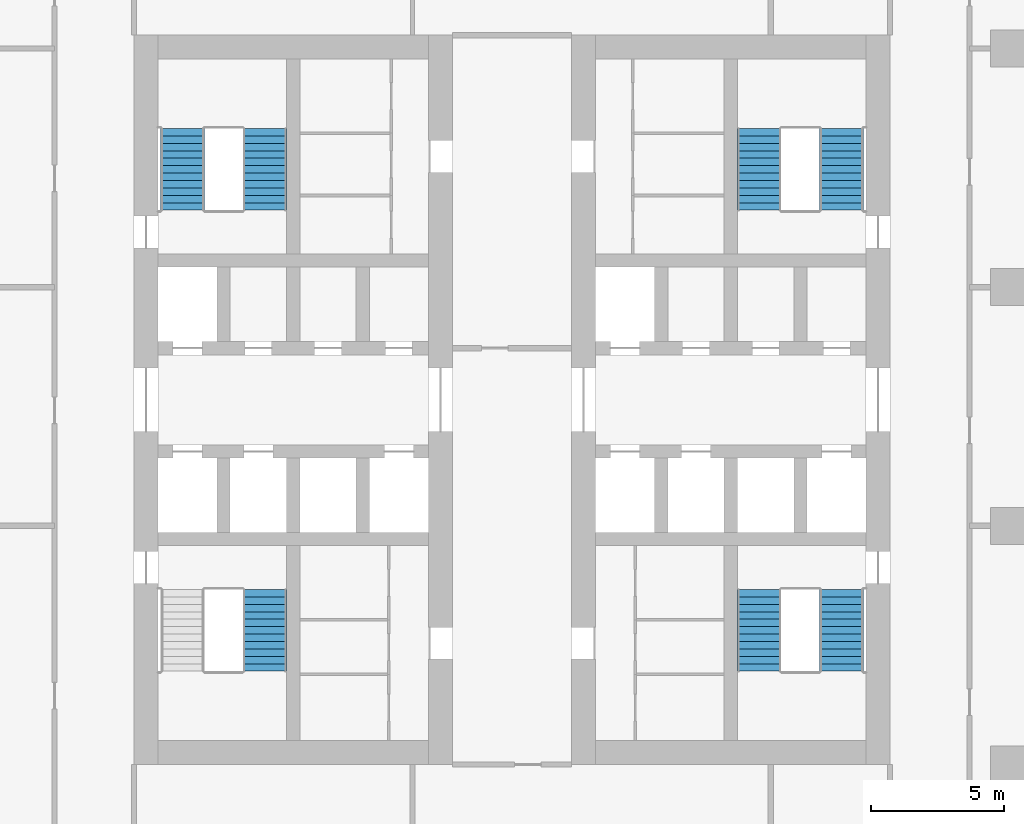
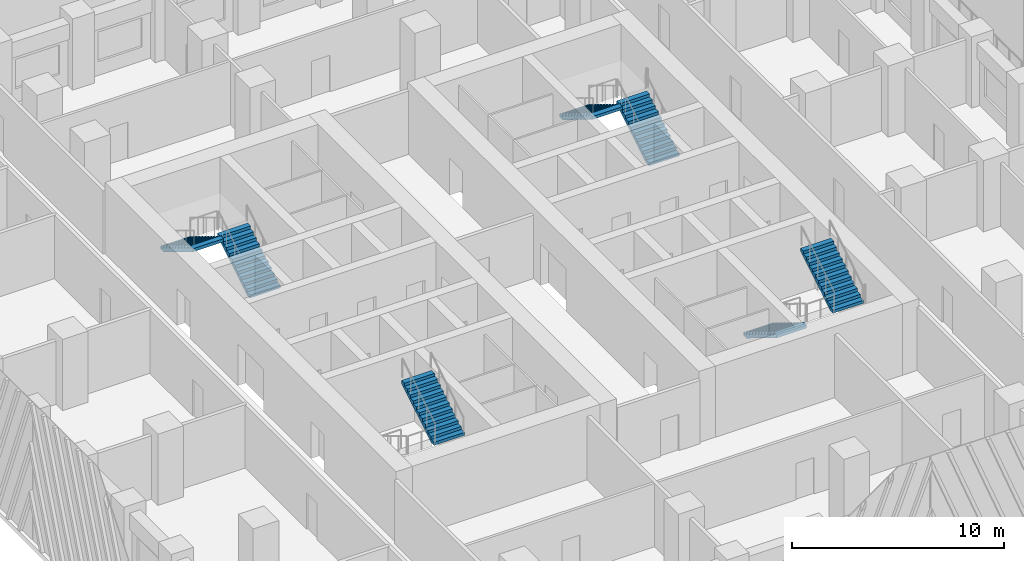
# One storey, part 9 of 19: 7 stair flights, 4 elements without a shape of their own.
"""IFC4 building model written with IfcOpenShell, lengths in metres."""

from ifc_helpers import new_model, si_unit, direction, frame, origin, place, context, subcontext, project, spatial, polyline, outline, extrude, material, type_object, element, aggregate, save


model = new_model("IFC4")

# Units and contexts
model_context = context("Model", 3, precision=1e-05, world=origin(), true_north=direction((0.0, 1.0)))
body_context = subcontext(model_context, "Body", "Model", "MODEL_VIEW")
ifc_project = project(units=[si_unit("LENGTHUNIT", "METRE"), si_unit("AREAUNIT", "SQUARE_METRE"), si_unit("VOLUMEUNIT", "CUBIC_METRE"), si_unit("PLANEANGLEUNIT", "RADIAN"), si_unit("MASSUNIT", "GRAM", prefix="KILO")], contexts=[model_context])

# Site, building, storey
site_placement = place(None, origin())
site = spatial("IfcSite", under=ifc_project, at=site_placement, CompositionType="ELEMENT")
building_placement = place(site_placement, origin())
building = spatial("IfcBuilding", under=site, at=building_placement, Name="Corbel Stack Research Tower", CompositionType="ELEMENT")
storey_placement = place(building_placement, frame((0.0, 0.0, 90.199951171875)))
storey = spatial("IfcBuildingStorey", under=building, at=storey_placement, Name="L20", CompositionType="ELEMENT", Elevation=90.199951171875)

# Stair, stair flight
ifc_material_1 = material(Name="Concrete C40/50", Category="concrete")
stair_type = type_object("IfcStairType", Name="Exit stair 24 risers", PredefinedType="HALF_TURN_STAIR", material=ifc_material_1)
stair_1_placement = place(storey_placement, origin())
stair_1 = element("IfcStair", 1, at=stair_1_placement, inside=storey, type_object=stair_type, Name="L20 Exit stair ST-W1", PredefinedType="HALF_TURN_STAIR")
ifc_material_2 = material(Name="Concrete C40/50", Category="concrete")
stair_flight_type = type_object("IfcStairFlightType", Name="Stair flight 12 risers", PredefinedType="STRAIGHT", material=ifc_material_2)
stair_flight_1_placement = place(storey_placement, frame((-5.574951171875, -5.47998046875, 2.050048828125), z_axis=(0.0, 0.0, 1.0), x_axis=(0.0, 1.0, 0.0)))
stair_flight_1 = element("IfcStairFlight", 2, at=stair_flight_1_placement, type_object=stair_flight_type, Name="ST-W1 flight 2", NumberOfRisers=12, NumberOfTreads=11, PredefinedType="STRAIGHT", RiserHeight=0.170833333, TreadLength=0.28, context=body_context, shape_type="SweptSolid", body=[
    extrude(outline(polyline([(0.0, 0.0), (0.0, 0.1708984375), (0.280029296875, 0.1708984375), (0.280029296875, 0.341552734375), (0.56005859375, 0.341552734375), (0.56005859375, 0.512451171875), (0.840087890625, 0.512451171875), (0.840087890625, 0.683349609375), (1.1201171875, 0.683349609375), (1.1201171875, 0.854248046875), (1.39990234375, 0.854248046875), (1.39990234375, 1.02490234375), (1.679931640625, 1.02490234375), (1.679931640625, 1.19580078125), (1.9599609375, 1.19580078125), (1.9599609375, 1.36669921875), (2.239990234375, 1.36669921875), (2.239990234375, 1.53759765625), (2.52001953125, 1.53759765625), (2.52001953125, 1.708251953125), (2.800048828125, 1.708251953125), (2.800048828125, 1.879150390625), (3.080078125, 1.879150390625), (3.080078125, 2.050048828125), (3.080078125, 1.70361328125), (0.287841796875, 0.0), (0.0, 0.0)])), frame((0.0, 0.824951171875, 0.0), z_axis=(0.0, -1.0, 0.0), x_axis=(1.0, 0.0, 0.0)), (0.0, 0.0, 1.0), 1.64990234375),
])
aggregate(stair_1, [stair_flight_1])

# Stair, stair flights
stair_2_placement = place(storey_placement, origin())
stair_2 = element("IfcStair", 3, at=stair_2_placement, inside=storey, type_object=stair_type, Name="L20 Exit stair ST-W2", PredefinedType="HALF_TURN_STAIR")
stair_flight_2_placement = place(storey_placement, frame((-5.574951171875, 11.89990234375, 0.0), z_axis=(0.0, 0.0, 1.0), x_axis=(0.0, 1.0, 0.0)))
stair_flight_2 = element("IfcStairFlight", 4, at=stair_flight_2_placement, type_object=stair_flight_type, Name="ST-W2 flight 1", NumberOfRisers=12, NumberOfTreads=11, PredefinedType="STRAIGHT", RiserHeight=0.170833333, TreadLength=0.28, context=body_context, shape_type="SweptSolid", body=[
    extrude(outline(polyline([(0.0, 0.0), (0.0, 0.1708984375), (0.280029296875, 0.1708984375), (0.280029296875, 0.341552734375), (0.56005859375, 0.341552734375), (0.56005859375, 0.512451171875), (0.840087890625, 0.512451171875), (0.840087890625, 0.683349609375), (1.1201171875, 0.683349609375), (1.1201171875, 0.854248046875), (1.39990234375, 0.854248046875), (1.39990234375, 1.02490234375), (1.679931640625, 1.02490234375), (1.679931640625, 1.19580078125), (1.9599609375, 1.19580078125), (1.9599609375, 1.36669921875), (2.239990234375, 1.36669921875), (2.239990234375, 1.53759765625), (2.52001953125, 1.53759765625), (2.52001953125, 1.708251953125), (2.800048828125, 1.708251953125), (2.800048828125, 1.879150390625), (3.080078125, 1.879150390625), (3.080078125, 2.050048828125), (3.080078125, 1.70361328125), (0.287841796875, 0.0), (0.0, 0.0)])), frame((0.0, 0.824951171875, 0.0), z_axis=(0.0, -1.0, 0.0), x_axis=(1.0, 0.0, 0.0)), (0.0, 0.0, 1.0), 1.64990234375),
])
stair_flight_3_placement = place(storey_placement, frame((-8.675048828125, 14.97998046875, 2.050048828125), z_axis=(0.0, 0.0, 1.0), x_axis=(0.0, -1.0, 0.0)))
stair_flight_3 = element("IfcStairFlight", 5, at=stair_flight_3_placement, type_object=stair_flight_type, Name="ST-W2 flight 2", NumberOfRisers=12, NumberOfTreads=11, PredefinedType="STRAIGHT", RiserHeight=0.170833333, TreadLength=0.28, context=body_context, shape_type="SweptSolid", body=[
    extrude(outline(polyline([(0.0, 0.0), (0.0, 0.1708984375), (0.280029296875, 0.1708984375), (0.280029296875, 0.341552734375), (0.56005859375, 0.341552734375), (0.56005859375, 0.512451171875), (0.840087890625, 0.512451171875), (0.840087890625, 0.683349609375), (1.1201171875, 0.683349609375), (1.1201171875, 0.854248046875), (1.39990234375, 0.854248046875), (1.39990234375, 1.02490234375), (1.679931640625, 1.02490234375), (1.679931640625, 1.19580078125), (1.9599609375, 1.19580078125), (1.9599609375, 1.36669921875), (2.239990234375, 1.36669921875), (2.239990234375, 1.53759765625), (2.52001953125, 1.53759765625), (2.52001953125, 1.708251953125), (2.800048828125, 1.708251953125), (2.800048828125, 1.879150390625), (3.080078125, 1.879150390625), (3.080078125, 2.050048828125), (3.080078125, 1.70361328125), (0.287841796875, 0.0), (0.0, 0.0)])), frame((0.0, 0.824951171875, 0.0), z_axis=(0.0, -1.0, 0.0), x_axis=(1.0, 0.0, 0.0)), (0.0, 0.0, 1.0), 1.64990234375),
])
aggregate(stair_2, [stair_flight_2, stair_flight_3])

stair_3_placement = place(storey_placement, origin())
stair_3 = element("IfcStair", 6, at=stair_3_placement, inside=storey, type_object=stair_type, Name="L20 Exit stair ST-E1", PredefinedType="HALF_TURN_STAIR")
stair_flight_4_placement = place(storey_placement, frame((13.074951171875, -2.39990234375, 0.0), z_axis=(0.0, 0.0, 1.0), x_axis=(0.0, -1.0, 0.0)))
stair_flight_4 = element("IfcStairFlight", 7, at=stair_flight_4_placement, type_object=stair_flight_type, Name="ST-E1 flight 1", NumberOfRisers=12, NumberOfTreads=11, PredefinedType="STRAIGHT", RiserHeight=0.170833333, TreadLength=0.28, context=body_context, shape_type="SweptSolid", body=[
    extrude(outline(polyline([(0.0, 0.0), (0.0, 0.1708984375), (0.280029296875, 0.1708984375), (0.280029296875, 0.341552734375), (0.56005859375, 0.341552734375), (0.56005859375, 0.512451171875), (0.840087890625, 0.512451171875), (0.840087890625, 0.683349609375), (1.1201171875, 0.683349609375), (1.1201171875, 0.854248046875), (1.39990234375, 0.854248046875), (1.39990234375, 1.02490234375), (1.679931640625, 1.02490234375), (1.679931640625, 1.19580078125), (1.9599609375, 1.19580078125), (1.9599609375, 1.36669921875), (2.239990234375, 1.36669921875), (2.239990234375, 1.53759765625), (2.52001953125, 1.53759765625), (2.52001953125, 1.708251953125), (2.800048828125, 1.708251953125), (2.800048828125, 1.879150390625), (3.080078125, 1.879150390625), (3.080078125, 2.050048828125), (3.080078125, 1.70361328125), (0.287841796875, 0.0), (0.0, 0.0)])), frame((0.0, 0.824951171875, 0.0), z_axis=(0.0, -1.0, 0.0), x_axis=(1.0, 0.0, 0.0)), (0.0, 0.0, 1.0), 1.64990234375),
])
stair_flight_5_placement = place(storey_placement, frame((16.175048828125, -5.47998046875, 2.050048828125), z_axis=(0.0, 0.0, 1.0), x_axis=(0.0, 1.0, 0.0)))
stair_flight_5 = element("IfcStairFlight", 8, at=stair_flight_5_placement, type_object=stair_flight_type, Name="ST-E1 flight 2", NumberOfRisers=12, NumberOfTreads=11, PredefinedType="STRAIGHT", RiserHeight=0.170833333, TreadLength=0.28, context=body_context, shape_type="SweptSolid", body=[
    extrude(outline(polyline([(0.0, 0.0), (0.0, 0.1708984375), (0.280029296875, 0.1708984375), (0.280029296875, 0.341552734375), (0.56005859375, 0.341552734375), (0.56005859375, 0.512451171875), (0.840087890625, 0.512451171875), (0.840087890625, 0.683349609375), (1.1201171875, 0.683349609375), (1.1201171875, 0.854248046875), (1.39990234375, 0.854248046875), (1.39990234375, 1.02490234375), (1.679931640625, 1.02490234375), (1.679931640625, 1.19580078125), (1.9599609375, 1.19580078125), (1.9599609375, 1.36669921875), (2.239990234375, 1.36669921875), (2.239990234375, 1.53759765625), (2.52001953125, 1.53759765625), (2.52001953125, 1.708251953125), (2.800048828125, 1.708251953125), (2.800048828125, 1.879150390625), (3.080078125, 1.879150390625), (3.080078125, 2.050048828125), (3.080078125, 1.70361328125), (0.287841796875, 0.0), (0.0, 0.0)])), frame((0.0, 0.824951171875, 0.0), z_axis=(0.0, -1.0, 0.0), x_axis=(1.0, 0.0, 0.0)), (0.0, 0.0, 1.0), 1.64990234375),
])
aggregate(stair_3, [stair_flight_4, stair_flight_5])

stair_4_placement = place(storey_placement, origin())
stair_4 = element("IfcStair", 9, at=stair_4_placement, inside=storey, type_object=stair_type, Name="L20 Exit stair ST-E2", PredefinedType="HALF_TURN_STAIR")
stair_flight_6_placement = place(storey_placement, frame((16.175048828125, 11.89990234375, 0.0), z_axis=(0.0, 0.0, 1.0), x_axis=(0.0, 1.0, 0.0)))
stair_flight_6 = element("IfcStairFlight", 10, at=stair_flight_6_placement, type_object=stair_flight_type, Name="ST-E2 flight 1", NumberOfRisers=12, NumberOfTreads=11, PredefinedType="STRAIGHT", RiserHeight=0.170833333, TreadLength=0.28, context=body_context, shape_type="SweptSolid", body=[
    extrude(outline(polyline([(0.0, 0.0), (0.0, 0.1708984375), (0.280029296875, 0.1708984375), (0.280029296875, 0.341552734375), (0.56005859375, 0.341552734375), (0.56005859375, 0.512451171875), (0.840087890625, 0.512451171875), (0.840087890625, 0.683349609375), (1.1201171875, 0.683349609375), (1.1201171875, 0.854248046875), (1.39990234375, 0.854248046875), (1.39990234375, 1.02490234375), (1.679931640625, 1.02490234375), (1.679931640625, 1.19580078125), (1.9599609375, 1.19580078125), (1.9599609375, 1.36669921875), (2.239990234375, 1.36669921875), (2.239990234375, 1.53759765625), (2.52001953125, 1.53759765625), (2.52001953125, 1.708251953125), (2.800048828125, 1.708251953125), (2.800048828125, 1.879150390625), (3.080078125, 1.879150390625), (3.080078125, 2.050048828125), (3.080078125, 1.70361328125), (0.287841796875, 0.0), (0.0, 0.0)])), frame((0.0, 0.824951171875, 0.0), z_axis=(0.0, -1.0, 0.0), x_axis=(1.0, 0.0, 0.0)), (0.0, 0.0, 1.0), 1.64990234375),
])
stair_flight_7_placement = place(storey_placement, frame((13.074951171875, 14.97998046875, 2.050048828125), z_axis=(0.0, 0.0, 1.0), x_axis=(0.0, -1.0, 0.0)))
stair_flight_7 = element("IfcStairFlight", 11, at=stair_flight_7_placement, type_object=stair_flight_type, Name="ST-E2 flight 2", NumberOfRisers=12, NumberOfTreads=11, PredefinedType="STRAIGHT", RiserHeight=0.170833333, TreadLength=0.28, context=body_context, shape_type="SweptSolid", body=[
    extrude(outline(polyline([(0.0, 0.0), (0.0, 0.1708984375), (0.280029296875, 0.1708984375), (0.280029296875, 0.341552734375), (0.56005859375, 0.341552734375), (0.56005859375, 0.512451171875), (0.840087890625, 0.512451171875), (0.840087890625, 0.683349609375), (1.1201171875, 0.683349609375), (1.1201171875, 0.854248046875), (1.39990234375, 0.854248046875), (1.39990234375, 1.02490234375), (1.679931640625, 1.02490234375), (1.679931640625, 1.19580078125), (1.9599609375, 1.19580078125), (1.9599609375, 1.36669921875), (2.239990234375, 1.36669921875), (2.239990234375, 1.53759765625), (2.52001953125, 1.53759765625), (2.52001953125, 1.708251953125), (2.800048828125, 1.708251953125), (2.800048828125, 1.879150390625), (3.080078125, 1.879150390625), (3.080078125, 2.050048828125), (3.080078125, 1.70361328125), (0.287841796875, 0.0), (0.0, 0.0)])), frame((0.0, 0.824951171875, 0.0), z_axis=(0.0, -1.0, 0.0), x_axis=(1.0, 0.0, 0.0)), (0.0, 0.0, 1.0), 1.64990234375),
])
aggregate(stair_4, [stair_flight_6, stair_flight_7])

save(model, "model.ifc")
